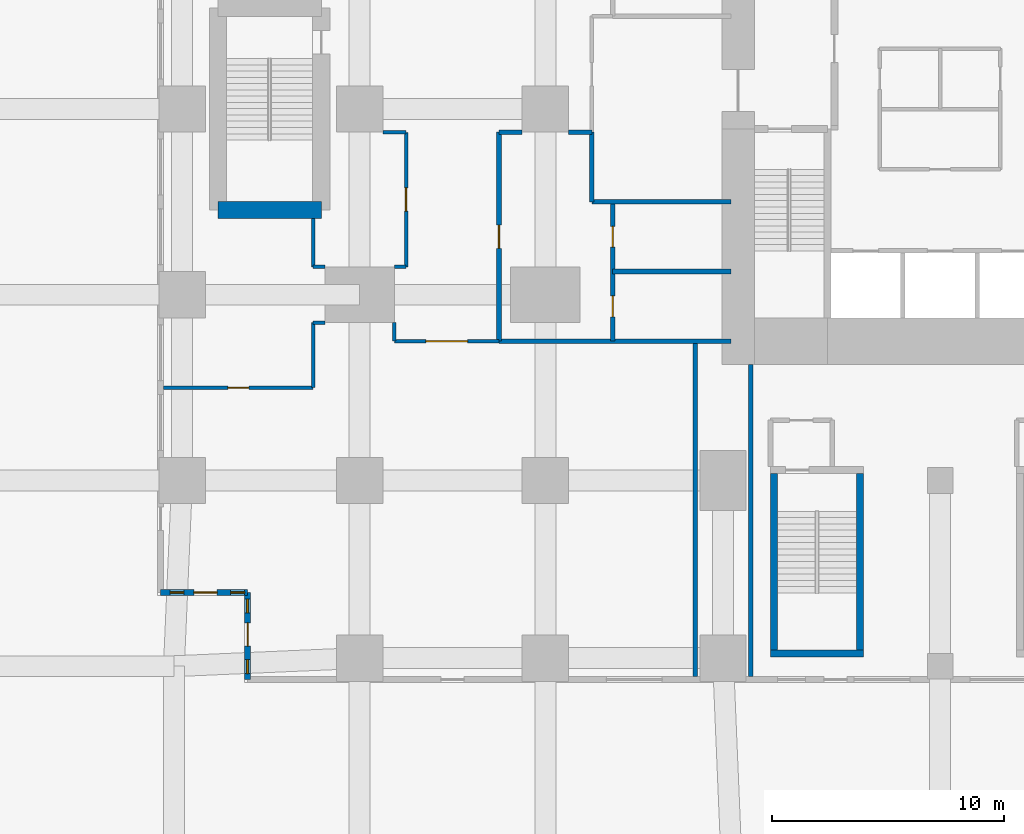
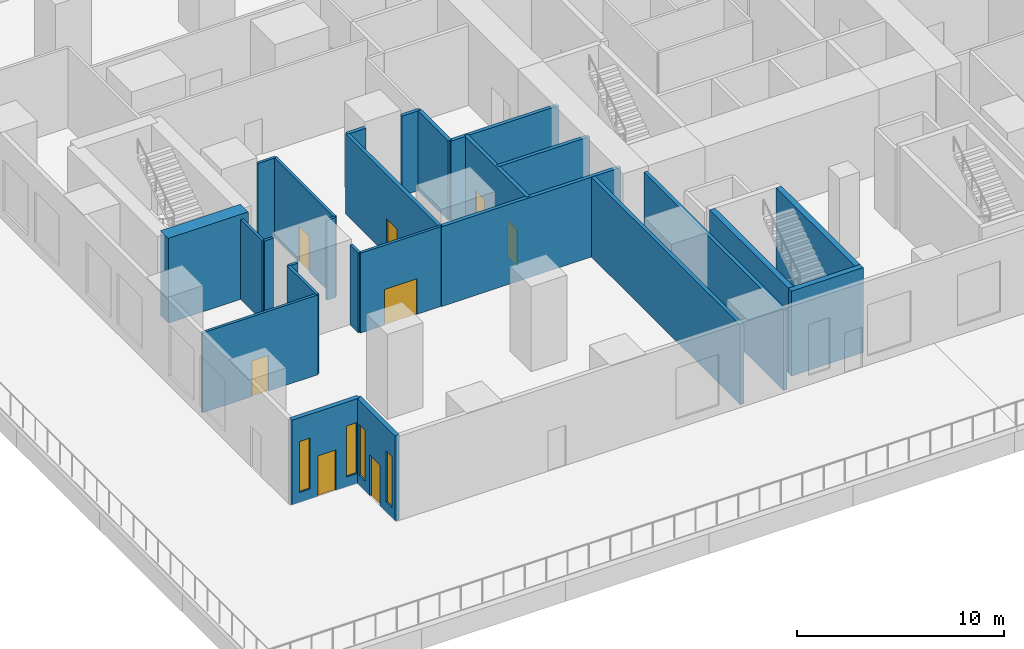
# One storey, part 7 of 16: 26 walls, 8 doors, 4 windows, 12 openings.
"""IFC4 building model written with IfcOpenShell, lengths in metres."""

from ifc_helpers import new_model, si_unit, direction, frame, frame_2d, origin, place, context, subcontext, project, spatial, rectangle, extrude, material, layer, layer_set, type_object, element, fill, save


model = new_model("IFC4")

# Units and contexts
model_context = context("Model", 3, precision=1e-05, world=origin(), true_north=direction((0.0, 1.0)))
body_context = subcontext(model_context, "Body", "Model", "MODEL_VIEW")
ifc_project = project(units=[si_unit("LENGTHUNIT", "METRE"), si_unit("AREAUNIT", "SQUARE_METRE"), si_unit("VOLUMEUNIT", "CUBIC_METRE"), si_unit("PLANEANGLEUNIT", "RADIAN"), si_unit("MASSUNIT", "GRAM", prefix="KILO")], contexts=[model_context])

# Site, building, storey
site_placement = place(None, origin())
site = spatial("IfcSite", under=ifc_project, at=site_placement, CompositionType="ELEMENT")
building_placement = place(site_placement, origin())
building = spatial("IfcBuilding", under=site, at=building_placement, Name="Cleftline Residences", CompositionType="ELEMENT")
storey_placement = place(building_placement, frame((0.0, 0.0, 16.0)))
storey = spatial("IfcBuildingStorey", under=building, at=storey_placement, Name="L03", CompositionType="ELEMENT", Elevation=16.0)

# Wall, openings, door, windows
ifc_material_1 = material(Name="Rendered reinforced concrete blockwork", Category="masonry")
ifc_layer_1 = layer(ifc_material_1, 0.25)
ifc_layer_set_1 = layer_set([ifc_layer_1], Name="EXTERNAL WALL 250")
wall_type_1 = type_object("IfcWallType", Name="EXTERNAL WALL 250", PredefinedType="SOLIDWALL", material=ifc_layer_set_1)
wall_1_placement = place(storey_placement, frame((-0.574951171875, 3.175048828125, 0.0), z_axis=(0.0, 0.0, 1.0), x_axis=(1.0, 0.0, 0.0)))
wall_1 = element("IfcWall", 1, at=wall_1_placement, inside=storey, type_object=wall_type_1, Name="External wall", PredefinedType="SOLIDWALL", context=body_context, shape_type="SweptSolid", body=[
    extrude(rectangle(XDim=3.75, YDim=0.25, at=frame_2d((1.875, 0.0))), origin(), (0.0, 0.0, 1.0), 5.0),
])
opening_1_placement = place(wall_1_placement, frame((1.4375, 0.0, 0.0)))
opening_1 = element("IfcOpeningElement", 2, at=opening_1_placement, cuts=wall_1, Name="Opening DT1", PredefinedType="OPENING", context=body_context, shape_type="SweptSolid", body=[
    extrude(rectangle(XDim=1.0, YDim=2.39990234375, at=frame_2d((0.5, 1.199951171875))), frame((0.0, 0.135009765625, 0.0), z_axis=(0.0, -1.0, 0.0), x_axis=(1.0, 0.0, 0.0)), (0.0, 0.0, 1.0), 0.27001953125),
])
opening_2_placement = place(wall_1_placement, frame((0.40625, 0.0, 0.60009765625)))
opening_2 = element("IfcOpeningElement", 3, at=opening_2_placement, cuts=wall_1, Name="Opening W4", PredefinedType="OPENING", context=body_context, shape_type="SweptSolid", body=[
    extrude(rectangle(XDim=0.60009765625, YDim=3.0, at=frame_2d((0.300048828125, 1.5))), frame((0.0, 0.135009765625, 0.0), z_axis=(0.0, -1.0, 0.0), x_axis=(1.0, 0.0, 0.0)), (0.0, 0.0, 1.0), 0.27001953125),
])
opening_3_placement = place(wall_1_placement, frame((3.018798828125, 0.0, 0.60009765625)))
opening_3 = element("IfcOpeningElement", 4, at=opening_3_placement, cuts=wall_1, Name="Opening W4", PredefinedType="OPENING", context=body_context, shape_type="SweptSolid", body=[
    extrude(rectangle(XDim=0.60009765625, YDim=3.0, at=frame_2d((0.300048828125, 1.5))), frame((0.0, 0.135009765625, 0.0), z_axis=(0.0, -1.0, 0.0), x_axis=(1.0, 0.0, 0.0)), (0.0, 0.0, 1.0), 0.27001953125),
])
ifc_material_2 = material(Name="Aluminium and laminated glass", Category="aluminium")
door_type_1 = type_object("IfcDoorType", Name="TERRACE DOOR 1000X2400", OperationType="SINGLE_SWING_LEFT", PredefinedType="DOOR", material=ifc_material_2)
door_1_placement = place(opening_1_placement, origin())
door_1 = element("IfcDoor", 5, at=door_1_placement, inside=storey, type_object=door_type_1, Name="Terrace door", OperationType="SINGLE_SWING_LEFT", OverallHeight=2.39990234375, OverallWidth=1.0, PredefinedType="DOOR", context=body_context, shape_type="SweptSolid", body=[
    extrude(rectangle(XDim=1.0, YDim=2.39990234375, at=frame_2d((0.5, 1.199951171875))), frame((0.0, 0.02490234375, 0.0), z_axis=(0.0, -1.0, 0.0), x_axis=(1.0, 0.0, 0.0)), (0.0, 0.0, 1.0), 0.050048828125),
])
fill(opening_1, door_1)
ifc_material_3 = material(Name="Aluminium frame, clear double glazing", Category="aluminium")
window_type = type_object("IfcWindowType", Name="WINDOW 600X3000", PartitioningType="DOUBLE_PANEL_VERTICAL", PredefinedType="WINDOW", material=ifc_material_3)
window_1_placement = place(opening_2_placement, origin())
window_1 = element("IfcWindow", 6, at=window_1_placement, inside=storey, type_object=window_type, Name="Window", OverallHeight=3.0, OverallWidth=0.60009765625, PartitioningType="SINGLE_PANEL", PredefinedType="WINDOW", context=body_context, shape_type="SweptSolid", body=[
    extrude(rectangle(XDim=0.60009765625, YDim=3.0, at=frame_2d((0.300048828125, 1.5))), frame((0.0, 0.030029296875, 0.0), z_axis=(0.0, -1.0, 0.0), x_axis=(1.0, 0.0, 0.0)), (0.0, 0.0, 1.0), 0.06005859375),
])
fill(opening_2, window_1)
window_2_placement = place(opening_3_placement, origin())
window_2 = element("IfcWindow", 7, at=window_2_placement, inside=storey, type_object=window_type, Name="Window", OverallHeight=3.0, OverallWidth=0.60009765625, PartitioningType="SINGLE_PANEL", PredefinedType="WINDOW", context=body_context, shape_type="SweptSolid", body=[
    extrude(rectangle(XDim=0.60009765625, YDim=3.0, at=frame_2d((0.300048828125, 1.5))), frame((0.0, 0.030029296875, 0.0), z_axis=(0.0, -1.0, 0.0), x_axis=(1.0, 0.0, 0.0)), (0.0, 0.0, 1.0), 0.06005859375),
])
fill(opening_3, window_2)

wall_2_placement = place(storey_placement, frame((3.175048828125, 3.175048828125, 0.0), z_axis=(0.0, 0.0, 1.0), x_axis=(0.0, -1.0, 0.0)))
wall_2 = element("IfcWall", 8, at=wall_2_placement, inside=storey, type_object=wall_type_1, Name="External wall", PredefinedType="SOLIDWALL", context=body_context, shape_type="SweptSolid", body=[
    extrude(rectangle(XDim=3.75, YDim=0.25, at=frame_2d((1.875, 0.0))), origin(), (0.0, 0.0, 1.0), 5.0),
])
opening_4_placement = place(wall_2_placement, frame((1.3125, 0.0, 0.0)))
opening_4 = element("IfcOpeningElement", 9, at=opening_4_placement, cuts=wall_2, Name="Opening DT1", PredefinedType="OPENING", context=body_context, shape_type="SweptSolid", body=[
    extrude(rectangle(XDim=1.0, YDim=2.39990234375, at=frame_2d((0.5, 1.199951171875))), frame((0.0, 0.135009765625, 0.0), z_axis=(0.0, -1.0, 0.0), x_axis=(1.0, 0.0, 0.0)), (0.0, 0.0, 1.0), 0.27001953125),
])
opening_5_placement = place(wall_2_placement, frame((0.28125, 0.0, 0.60009765625)))
opening_5 = element("IfcOpeningElement", 10, at=opening_5_placement, cuts=wall_2, Name="Opening W4", PredefinedType="OPENING", context=body_context, shape_type="SweptSolid", body=[
    extrude(rectangle(XDim=0.60009765625, YDim=3.0, at=frame_2d((0.300048828125, 1.5))), frame((0.0, 0.135009765625, 0.0), z_axis=(0.0, -1.0, 0.0), x_axis=(1.0, 0.0, 0.0)), (0.0, 0.0, 1.0), 0.27001953125),
])
opening_6_placement = place(wall_2_placement, frame((2.893798828125, 0.0, 0.60009765625)))
opening_6 = element("IfcOpeningElement", 11, at=opening_6_placement, cuts=wall_2, Name="Opening W4", PredefinedType="OPENING", context=body_context, shape_type="SweptSolid", body=[
    extrude(rectangle(XDim=0.60009765625, YDim=3.0, at=frame_2d((0.300048828125, 1.5))), frame((0.0, 0.135009765625, 0.0), z_axis=(0.0, -1.0, 0.0), x_axis=(1.0, 0.0, 0.0)), (0.0, 0.0, 1.0), 0.27001953125),
])
door_2_placement = place(opening_4_placement, origin())
door_2 = element("IfcDoor", 12, at=door_2_placement, inside=storey, type_object=door_type_1, Name="Terrace door", OperationType="SINGLE_SWING_RIGHT", OverallHeight=2.39990234375, OverallWidth=1.0, PredefinedType="DOOR", context=body_context, shape_type="SweptSolid", body=[
    extrude(rectangle(XDim=1.0, YDim=2.39990234375, at=frame_2d((0.5, 1.199951171875))), frame((0.0, 0.02490234375, 0.0), z_axis=(0.0, -1.0, 0.0), x_axis=(1.0, 0.0, 0.0)), (0.0, 0.0, 1.0), 0.050048828125),
])
fill(opening_4, door_2)
window_3_placement = place(opening_5_placement, origin())
window_3 = element("IfcWindow", 13, at=window_3_placement, inside=storey, type_object=window_type, Name="Window", OverallHeight=3.0, OverallWidth=0.60009765625, PartitioningType="SINGLE_PANEL", PredefinedType="WINDOW", context=body_context, shape_type="SweptSolid", body=[
    extrude(rectangle(XDim=0.60009765625, YDim=3.0, at=frame_2d((0.300048828125, 1.5))), frame((0.0, 0.030029296875, 0.0), z_axis=(0.0, -1.0, 0.0), x_axis=(1.0, 0.0, 0.0)), (0.0, 0.0, 1.0), 0.06005859375),
])
fill(opening_5, window_3)
window_4_placement = place(opening_6_placement, origin())
window_4 = element("IfcWindow", 14, at=window_4_placement, inside=storey, type_object=window_type, Name="Window", OverallHeight=3.0, OverallWidth=0.60009765625, PartitioningType="SINGLE_PANEL", PredefinedType="WINDOW", context=body_context, shape_type="SweptSolid", body=[
    extrude(rectangle(XDim=0.60009765625, YDim=3.0, at=frame_2d((0.300048828125, 1.5))), frame((0.0, 0.030029296875, 0.0), z_axis=(0.0, -1.0, 0.0), x_axis=(1.0, 0.0, 0.0)), (0.0, 0.0, 1.0), 0.06005859375),
])
fill(opening_6, window_4)

# Walls
ifc_material_4 = material(Name="Concrete blockwork, fire rated", Category="masonry")
ifc_layer_2 = layer(ifc_material_4, 0.199951171875)
ifc_layer_set_2 = layer_set([ifc_layer_2], Name="FIRE WALL 200")
wall_type_2 = type_object("IfcWallType", Name="FIRE WALL 200", PredefinedType="PARTITIONING", material=ifc_layer_set_2)
wall_3_placement = place(storey_placement, frame((14.0, 14.0, 0.0), z_axis=(0.0, 0.0, 1.0), x_axis=(1.0, 0.0, 0.0)))
element("IfcWall", 15, at=wall_3_placement, inside=storey, type_object=wall_type_2, Name="Fire separating wall", PredefinedType="PARTITIONING", context=body_context, shape_type="SweptSolid", body=[
    extrude(rectangle(XDim=10.0, YDim=0.199951171875, at=frame_2d((5.0, 0.0))), origin(), (0.0, 0.0, 1.0), 4.699951171875),
])
wall_4_placement = place(storey_placement, frame((18.89990234375, 17.0, 0.0), z_axis=(0.0, 0.0, 1.0), x_axis=(1.0, 0.0, 0.0)))
element("IfcWall", 16, at=wall_4_placement, inside=storey, type_object=wall_type_2, Name="Fire separating wall", PredefinedType="PARTITIONING", context=body_context, shape_type="SweptSolid", body=[
    extrude(rectangle(XDim=5.10009765625, YDim=0.199951171875, at=frame_2d((2.550048828125, 0.0))), origin(), (0.0, 0.0, 1.0), 4.699951171875),
])
wall_5_placement = place(storey_placement, frame((18.0, 20.0, 0.0), z_axis=(0.0, 0.0, 1.0), x_axis=(1.0, 0.0, 0.0)))
element("IfcWall", 17, at=wall_5_placement, inside=storey, type_object=wall_type_2, Name="Fire separating wall", PredefinedType="PARTITIONING", context=body_context, shape_type="SweptSolid", body=[
    extrude(rectangle(XDim=6.0, YDim=0.199951171875, at=frame_2d((3.0, 0.0))), origin(), (0.0, 0.0, 1.0), 4.699951171875),
])
for number, where, z_axis, x_axis, name in (
    (18, (14.0, 23.0, 0.0), (0.0, 0.0, 1.0), (1.0, 0.0, 0.0), "Fire separating wall"),
    (19, (17.0, 23.0, 0.0), (0.0, 0.0, 1.0), (1.0, 0.0, 0.0), "Fire separating wall"),
):
    element("IfcWall", number, at=place(storey_placement, frame(where, z_axis=z_axis, x_axis=x_axis)), inside=storey, type_object=wall_type_2, Name=name, PredefinedType="PARTITIONING", context=body_context, shape_type="SweptSolid", body=[
        extrude(rectangle(XDim=1.0, YDim=0.199951171875, at=frame_2d((0.5, 0.0))), origin(), (0.0, 0.0, 1.0), 4.699951171875),
    ])

# Wall, opening, door
wall_6_placement = place(storey_placement, frame((14.0, 14.0, 0.0), z_axis=(0.0, 0.0, 1.0), x_axis=(0.0, 1.0, 0.0)))
wall_6 = element("IfcWall", 20, at=wall_6_placement, inside=storey, type_object=wall_type_2, Name="Fire separating wall", PredefinedType="PARTITIONING", context=body_context, shape_type="SweptSolid", body=[
    extrude(rectangle(XDim=9.0, YDim=0.199951171875, at=frame_2d((4.5, 0.0))), origin(), (0.0, 0.0, 1.0), 4.699951171875),
])
opening_7_placement = place(wall_6_placement, frame((4.0, 0.0, 0.0)))
opening_7 = element("IfcOpeningElement", 21, at=opening_7_placement, cuts=wall_6, Name="Opening D2F30", PredefinedType="OPENING", context=body_context, shape_type="SweptSolid", body=[
    extrude(rectangle(XDim=1.0, YDim=2.10009765625, at=frame_2d((0.5, 1.050048828125))), frame((0.0, 0.10986328125, 0.0), z_axis=(0.0, -1.0, 0.0), x_axis=(1.0, 0.0, 0.0)), (0.0, 0.0, 1.0), 0.219970703125),
])
ifc_material_5 = material(Name="Timber veneer on solid core", Category="wood")
door_type_2 = type_object("IfcDoorType", Name="DOOR 1000X2100 EI 30", OperationType="SINGLE_SWING_LEFT", PredefinedType="DOOR", material=ifc_material_5)
door_3_placement = place(opening_7_placement, origin())
door_3 = element("IfcDoor", 22, at=door_3_placement, inside=storey, type_object=door_type_2, Name="Door to wc lobby", OperationType="SINGLE_SWING_LEFT", OverallHeight=2.10009765625, OverallWidth=1.0, PredefinedType="DOOR", context=body_context, shape_type="SweptSolid", body=[
    extrude(rectangle(XDim=1.0, YDim=2.10009765625, at=frame_2d((0.5, 1.050048828125))), frame((0.0, 0.02490234375, 0.0), z_axis=(0.0, -1.0, 0.0), x_axis=(1.0, 0.0, 0.0)), (0.0, 0.0, 1.0), 0.050048828125),
])
fill(opening_7, door_3)

# Wall
wall_7_placement = place(storey_placement, frame((18.0, 20.0, 0.0), z_axis=(0.0, 0.0, 1.0), x_axis=(0.0, 1.0, 0.0)))
element("IfcWall", 23, at=wall_7_placement, inside=storey, type_object=wall_type_2, Name="Fire separating wall", PredefinedType="PARTITIONING", context=body_context, shape_type="SweptSolid", body=[
    extrude(rectangle(XDim=3.0, YDim=0.199951171875, at=frame_2d((1.5, 0.0))), origin(), (0.0, 0.0, 1.0), 4.699951171875),
])

# Wall, openings, doors
wall_8_placement = place(storey_placement, frame((18.89990234375, 14.0, 0.0), z_axis=(0.0, 0.0, 1.0), x_axis=(0.0, 1.0, 0.0)))
wall_8 = element("IfcWall", 24, at=wall_8_placement, inside=storey, type_object=wall_type_2, Name="Fire separating wall", PredefinedType="PARTITIONING", context=body_context, shape_type="SweptSolid", body=[
    extrude(rectangle(XDim=6.0, YDim=0.199951171875, at=frame_2d((3.0, 0.0))), origin(), (0.0, 0.0, 1.0), 4.699951171875),
])
opening_8_placement = place(wall_8_placement, frame((1.050048828125, 0.0, 0.0)))
opening_8 = element("IfcOpeningElement", 25, at=opening_8_placement, cuts=wall_8, Name="Opening D1F30", PredefinedType="OPENING", context=body_context, shape_type="SweptSolid", body=[
    extrude(rectangle(XDim=0.89990234375, YDim=2.10009765625, at=frame_2d((0.449951171875, 1.050048828125))), frame((0.0, 0.10986328125, 0.0), z_axis=(0.0, -1.0, 0.0), x_axis=(1.0, 0.0, 0.0)), (0.0, 0.0, 1.0), 0.219970703125),
])
opening_9_placement = place(wall_8_placement, frame((4.050048828125, 0.0, 0.0)))
opening_9 = element("IfcOpeningElement", 26, at=opening_9_placement, cuts=wall_8, Name="Opening D1F30", PredefinedType="OPENING", context=body_context, shape_type="SweptSolid", body=[
    extrude(rectangle(XDim=0.89990234375, YDim=2.10009765625, at=frame_2d((0.449951171875, 1.050048828125))), frame((0.0, 0.10986328125, 0.0), z_axis=(0.0, -1.0, 0.0), x_axis=(1.0, 0.0, 0.0)), (0.0, 0.0, 1.0), 0.219970703125),
])
ifc_material_6 = material(Name="Timber veneer on solid core", Category="wood")
door_type_3 = type_object("IfcDoorType", Name="DOOR 900X2100 EI 30", OperationType="SINGLE_SWING_LEFT", PredefinedType="DOOR", material=ifc_material_6)
door_4_placement = place(opening_8_placement, origin())
door_4 = element("IfcDoor", 27, at=door_4_placement, inside=storey, type_object=door_type_3, Name="Door to male wc", OperationType="SINGLE_SWING_RIGHT", OverallHeight=2.10009765625, OverallWidth=0.89990234375, PredefinedType="DOOR", context=body_context, shape_type="SweptSolid", body=[
    extrude(rectangle(XDim=0.89990234375, YDim=2.10009765625, at=frame_2d((0.449951171875, 1.050048828125))), frame((0.0, 0.02490234375, 0.0), z_axis=(0.0, -1.0, 0.0), x_axis=(1.0, 0.0, 0.0)), (0.0, 0.0, 1.0), 0.050048828125),
])
fill(opening_8, door_4)
door_5_placement = place(opening_9_placement, origin())
door_5 = element("IfcDoor", 28, at=door_5_placement, inside=storey, type_object=door_type_3, Name="Door to female wc", OperationType="SINGLE_SWING_LEFT", OverallHeight=2.10009765625, OverallWidth=0.89990234375, PredefinedType="DOOR", context=body_context, shape_type="SweptSolid", body=[
    extrude(rectangle(XDim=0.89990234375, YDim=2.10009765625, at=frame_2d((0.449951171875, 1.050048828125))), frame((0.0, 0.02490234375, 0.0), z_axis=(0.0, -1.0, 0.0), x_axis=(1.0, 0.0, 0.0)), (0.0, 0.0, 1.0), 0.050048828125),
])
fill(opening_9, door_5)

# Walls
wall_9_placement = place(storey_placement, frame((22.449951171875, -0.449951171875, 0.0), z_axis=(0.0, 0.0, 1.0), x_axis=(0.0, 1.0, 0.0)))
element("IfcWall", 29, at=wall_9_placement, inside=storey, type_object=wall_type_2, Name="Fire separating wall", PredefinedType="PARTITIONING", context=body_context, shape_type="SweptSolid", body=[
    extrude(rectangle(XDim=14.449951171875, YDim=0.199951171875, at=frame_2d((7.22509765625, 0.0))), origin(), (0.0, 0.0, 1.0), 4.699951171875),
])
wall_10_placement = place(storey_placement, frame((24.85009765625, -0.449951171875, 0.0), z_axis=(0.0, 0.0, 1.0), x_axis=(0.0, 1.0, 0.0)))
element("IfcWall", 30, at=wall_10_placement, inside=storey, type_object=wall_type_2, Name="Fire separating wall", PredefinedType="PARTITIONING", context=body_context, shape_type="SweptSolid", body=[
    extrude(rectangle(XDim=13.449951171875, YDim=0.199951171875, at=frame_2d((6.72509765625, 0.0))), origin(), (0.0, 0.0, 1.0), 4.699951171875),
])

# Wall, opening, door
ifc_material_7 = material(Name="Gypsum board on steel studs", Category="steel")
ifc_layer_3 = layer(ifc_material_7, 0.14990234375)
ifc_layer_set_3 = layer_set([ifc_layer_3], Name="PARTITION 150")
wall_type_3 = type_object("IfcWallType", Name="PARTITION 150", PredefinedType="PARTITIONING", material=ifc_layer_set_3)
wall_11_placement = place(storey_placement, frame((-0.449951171875, 12.0, 0.0), z_axis=(0.0, 0.0, 1.0), x_axis=(1.0, 0.0, 0.0)))
wall_11 = element("IfcWall", 31, at=wall_11_placement, inside=storey, type_object=wall_type_3, Name="Partition", PredefinedType="PARTITIONING", context=body_context, shape_type="SweptSolid", body=[
    extrude(rectangle(XDim=6.449951171875, YDim=0.14990234375, at=frame_2d((3.22509765625, 0.0))), origin(), (0.0, 0.0, 1.0), 4.699951171875),
])
opening_10_placement = place(wall_11_placement, frame((2.77490234375, 0.0, 0.0)))
opening_10 = element("IfcOpeningElement", 32, at=opening_10_placement, cuts=wall_11, Name="Opening D1", PredefinedType="OPENING", context=body_context, shape_type="SweptSolid", body=[
    extrude(rectangle(XDim=0.89990234375, YDim=2.10009765625, at=frame_2d((0.449951171875, 1.050048828125))), frame((0.0, 0.0849609375, 0.0), z_axis=(0.0, -1.0, 0.0), x_axis=(1.0, 0.0, 0.0)), (0.0, 0.0, 1.0), 0.169921875),
])
ifc_material_8 = material(Name="Timber veneer on solid core", Category="wood")
door_type_4 = type_object("IfcDoorType", Name="DOOR 900X2100", OperationType="SINGLE_SWING_LEFT", PredefinedType="DOOR", material=ifc_material_8)
door_6_placement = place(opening_10_placement, origin())
door_6 = element("IfcDoor", 33, at=door_6_placement, inside=storey, type_object=door_type_4, Name="Door to pool changing rooms", OperationType="SINGLE_SWING_LEFT", OverallHeight=2.10009765625, OverallWidth=0.89990234375, PredefinedType="DOOR", context=body_context, shape_type="SweptSolid", body=[
    extrude(rectangle(XDim=0.89990234375, YDim=2.10009765625, at=frame_2d((0.449951171875, 1.050048828125))), frame((0.0, 0.02490234375, 0.0), z_axis=(0.0, -1.0, 0.0), x_axis=(1.0, 0.0, 0.0)), (0.0, 0.0, 1.0), 0.050048828125),
])
fill(opening_10, door_6)

wall_12_placement = place(storey_placement, frame((9.5, 14.0, 0.0), z_axis=(0.0, 0.0, 1.0), x_axis=(1.0, 0.0, 0.0)))
wall_12 = element("IfcWall", 34, at=wall_12_placement, inside=storey, type_object=wall_type_3, Name="Partition", PredefinedType="PARTITIONING", context=body_context, shape_type="SweptSolid", body=[
    extrude(rectangle(XDim=4.5, YDim=0.14990234375, at=frame_2d((2.25, 0.0))), origin(), (0.0, 0.0, 1.0), 4.699951171875),
])
opening_11_placement = place(wall_12_placement, frame((1.35009765625, 0.0, 0.0)))
opening_11 = element("IfcOpeningElement", 35, at=opening_11_placement, cuts=wall_12, Name="Opening D3", PredefinedType="OPENING", context=body_context, shape_type="SweptSolid", body=[
    extrude(rectangle(XDim=1.800048828125, YDim=2.10009765625, at=frame_2d((0.89990234375, 1.050048828125))), frame((0.0, 0.0849609375, 0.0), z_axis=(0.0, -1.0, 0.0), x_axis=(1.0, 0.0, 0.0)), (0.0, 0.0, 1.0), 0.169921875),
])
ifc_material_9 = material(Name="Timber veneer on solid core", Category="wood")
door_type_5 = type_object("IfcDoorType", Name="DOUBLE DOOR 1800X2100", OperationType="DOUBLE_DOOR_DOUBLE_SWING", PredefinedType="DOOR", material=ifc_material_9)
door_7_placement = place(opening_11_placement, origin())
door_7 = element("IfcDoor", 36, at=door_7_placement, inside=storey, type_object=door_type_5, Name="Door to indoor swimming pool hall", OperationType="DOUBLE_DOOR_DOUBLE_SWING", OverallHeight=2.10009765625, OverallWidth=1.800048828125, PredefinedType="DOOR", context=body_context, shape_type="SweptSolid", body=[
    extrude(rectangle(XDim=1.800048828125, YDim=2.10009765625, at=frame_2d((0.89990234375, 1.050048828125))), frame((0.0, 0.02490234375, 0.0), z_axis=(0.0, -1.0, 0.0), x_axis=(1.0, 0.0, 0.0)), (0.0, 0.0, 1.0), 0.050048828125),
])
fill(opening_11, door_7)

# Walls
for number, where, z_axis, x_axis, name in (
    (37, (6.0, 14.800048828125, 0.0), (0.0, 0.0, 1.0), (1.0, 0.0, 0.0), "Partition"),
    (38, (6.0, 17.199951171875, 0.0), (0.0, 0.0, 1.0), (1.0, 0.0, 0.0), "Partition"),
    (39, (9.5, 17.199951171875, 0.0), (0.0, 0.0, 1.0), (1.0, 0.0, 0.0), "Partition"),
):
    element("IfcWall", number, at=place(storey_placement, frame(where, z_axis=z_axis, x_axis=x_axis)), inside=storey, type_object=wall_type_3, Name=name, PredefinedType="PARTITIONING", context=body_context, shape_type="SweptSolid", body=[
        extrude(rectangle(XDim=0.5, YDim=0.14990234375, at=frame_2d((0.25, 0.0))), origin(), (0.0, 0.0, 1.0), 4.699951171875),
    ])
wall_13_placement = place(storey_placement, frame((9.0, 23.0, 0.0), z_axis=(0.0, 0.0, 1.0), x_axis=(1.0, 0.0, 0.0)))
element("IfcWall", 40, at=wall_13_placement, inside=storey, type_object=wall_type_3, Name="Partition", PredefinedType="PARTITIONING", context=body_context, shape_type="SweptSolid", body=[
    extrude(rectangle(XDim=1.0, YDim=0.14990234375, at=frame_2d((0.5, 0.0))), origin(), (0.0, 0.0, 1.0), 4.699951171875),
])
wall_14_placement = place(storey_placement, frame((6.0, 12.0, 0.0), z_axis=(0.0, 0.0, 1.0), x_axis=(0.0, 1.0, 0.0)))
element("IfcWall", 41, at=wall_14_placement, inside=storey, type_object=wall_type_3, Name="Partition", PredefinedType="PARTITIONING", context=body_context, shape_type="SweptSolid", body=[
    extrude(rectangle(XDim=2.800048828125, YDim=0.14990234375, at=frame_2d((1.39990234375, 0.0))), origin(), (0.0, 0.0, 1.0), 4.699951171875),
])
wall_15_placement = place(storey_placement, frame((6.0, 17.199951171875, 0.0), z_axis=(0.0, 0.0, 1.0), x_axis=(0.0, 1.0, 0.0)))
element("IfcWall", 42, at=wall_15_placement, inside=storey, type_object=wall_type_3, Name="Partition", PredefinedType="PARTITIONING", context=body_context, shape_type="SweptSolid", body=[
    extrude(rectangle(XDim=2.074951171875, YDim=0.14990234375, at=frame_2d((1.03759765625, 0.0))), origin(), (0.0, 0.0, 1.0), 4.699951171875),
])
wall_16_placement = place(storey_placement, frame((9.5, 14.0, 0.0), z_axis=(0.0, 0.0, 1.0), x_axis=(0.0, 1.0, 0.0)))
element("IfcWall", 43, at=wall_16_placement, inside=storey, type_object=wall_type_3, Name="Partition", PredefinedType="PARTITIONING", context=body_context, shape_type="SweptSolid", body=[
    extrude(rectangle(XDim=0.800048828125, YDim=0.14990234375, at=frame_2d((0.39990234375, 0.0))), origin(), (0.0, 0.0, 1.0), 4.699951171875),
])

# Wall, opening, door
wall_17_placement = place(storey_placement, frame((10.0, 17.199951171875, 0.0), z_axis=(0.0, 0.0, 1.0), x_axis=(0.0, 1.0, 0.0)))
wall_17 = element("IfcWall", 44, at=wall_17_placement, inside=storey, type_object=wall_type_3, Name="Partition", PredefinedType="PARTITIONING", context=body_context, shape_type="SweptSolid", body=[
    extrude(rectangle(XDim=5.800048828125, YDim=0.14990234375, at=frame_2d((2.89990234375, 0.0))), origin(), (0.0, 0.0, 1.0), 4.699951171875),
])
opening_12_placement = place(wall_17_placement, frame((2.39990234375, 0.0, 0.0)))
opening_12 = element("IfcOpeningElement", 45, at=opening_12_placement, cuts=wall_17, Name="Opening D2", PredefinedType="OPENING", context=body_context, shape_type="SweptSolid", body=[
    extrude(rectangle(XDim=1.0, YDim=2.10009765625, at=frame_2d((0.5, 1.050048828125))), frame((0.0, 0.0849609375, 0.0), z_axis=(0.0, -1.0, 0.0), x_axis=(1.0, 0.0, 0.0)), (0.0, 0.0, 1.0), 0.169921875),
])
ifc_material_10 = material(Name="Timber veneer on solid core", Category="wood")
door_type_6 = type_object("IfcDoorType", Name="DOOR 1000X2100", OperationType="SINGLE_SWING_LEFT", PredefinedType="DOOR", material=ifc_material_10)
door_8_placement = place(opening_12_placement, origin())
door_8 = element("IfcDoor", 46, at=door_8_placement, inside=storey, type_object=door_type_6, Name="Door to first aid room", OperationType="SINGLE_SWING_LEFT", OverallHeight=2.10009765625, OverallWidth=1.0, PredefinedType="DOOR", context=body_context, shape_type="SweptSolid", body=[
    extrude(rectangle(XDim=1.0, YDim=2.10009765625, at=frame_2d((0.5, 1.050048828125))), frame((0.0, 0.02490234375, 0.0), z_axis=(0.0, -1.0, 0.0), x_axis=(1.0, 0.0, 0.0)), (0.0, 0.0, 1.0), 0.050048828125),
])
fill(opening_12, door_8)

# Walls
ifc_material_11 = material(Name="Concrete B70", Category="concrete")
ifc_layer_4 = layer(ifc_material_11, 0.75)
ifc_layer_set_4 = layer_set([ifc_layer_4], Name="SHEAR WALL 750")
wall_type_4 = type_object("IfcWallType", Name="SHEAR WALL 750", PredefinedType="SHEAR", material=ifc_layer_set_4)
wall_18_placement = place(storey_placement, frame((1.89990234375, 19.64990234375, 0.0), z_axis=(0.0, 0.0, 1.0), x_axis=(1.0, 0.0, 0.0)))
element("IfcWall", 47, at=wall_18_placement, inside=storey, type_object=wall_type_4, Name="Wing shear wall", PredefinedType="SHEAR", context=body_context, shape_type="SweptSolid", body=[
    extrude(rectangle(XDim=4.4501953125, YDim=0.75, at=frame_2d((2.22509765625, 0.0))), origin(), (0.0, 0.0, 1.0), 5.0),
])
ifc_material_12 = material(Name="Concrete blockwork, fire rated", Category="masonry")
ifc_layer_5 = layer(ifc_material_12, 0.300048828125)
ifc_layer_set_5 = layer_set([ifc_layer_5], Name="STAIR ENCLOSURE WALL 300")
wall_type_5 = type_object("IfcWallType", Name="STAIR ENCLOSURE WALL 300", PredefinedType="PARTITIONING", material=ifc_layer_set_5)
wall_19_placement = place(storey_placement, frame((25.699951171875, 0.550048828125, 0.0), z_axis=(0.0, 0.0, 1.0), x_axis=(1.0, 0.0, 0.0)))
element("IfcWall", 48, at=wall_19_placement, inside=storey, type_object=wall_type_5, Name="Stair C enclosure", PredefinedType="PARTITIONING", context=body_context, shape_type="SweptSolid", body=[
    extrude(rectangle(XDim=4.0, YDim=0.300048828125, at=frame_2d((2.0, 0.0))), origin(), (0.0, 0.0, 1.0), 5.0),
])
for number, where, z_axis, x_axis, name in (
    (49, (25.85009765625, 0.699951171875, 0.0), (0.0, 0.0, 1.0), (0.0, 1.0, 0.0), "Stair C enclosure"),
    (50, (29.550048828125, 0.699951171875, 0.0), (0.0, 0.0, 1.0), (0.0, 1.0, 0.0), "Stair C enclosure"),
):
    element("IfcWall", number, at=place(storey_placement, frame(where, z_axis=z_axis, x_axis=x_axis)), inside=storey, type_object=wall_type_5, Name=name, PredefinedType="PARTITIONING", context=body_context, shape_type="SweptSolid", body=[
        extrude(rectangle(XDim=7.60009765625, YDim=0.300048828125, at=frame_2d((3.800048828125, 0.0))), origin(), (0.0, 0.0, 1.0), 5.0),
    ])

save(model, "model.ifc")
